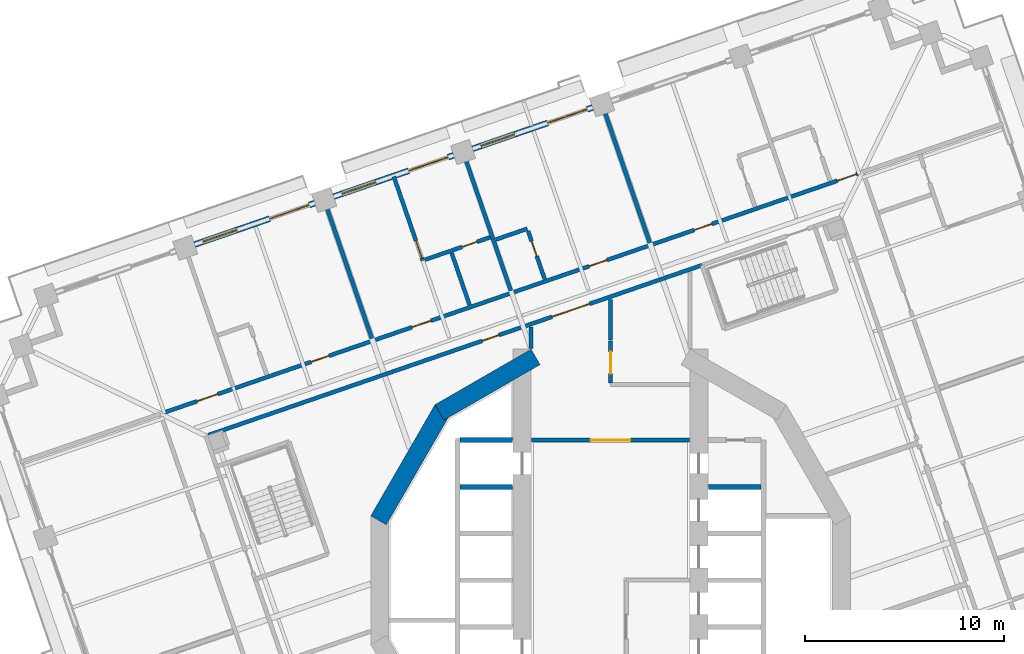
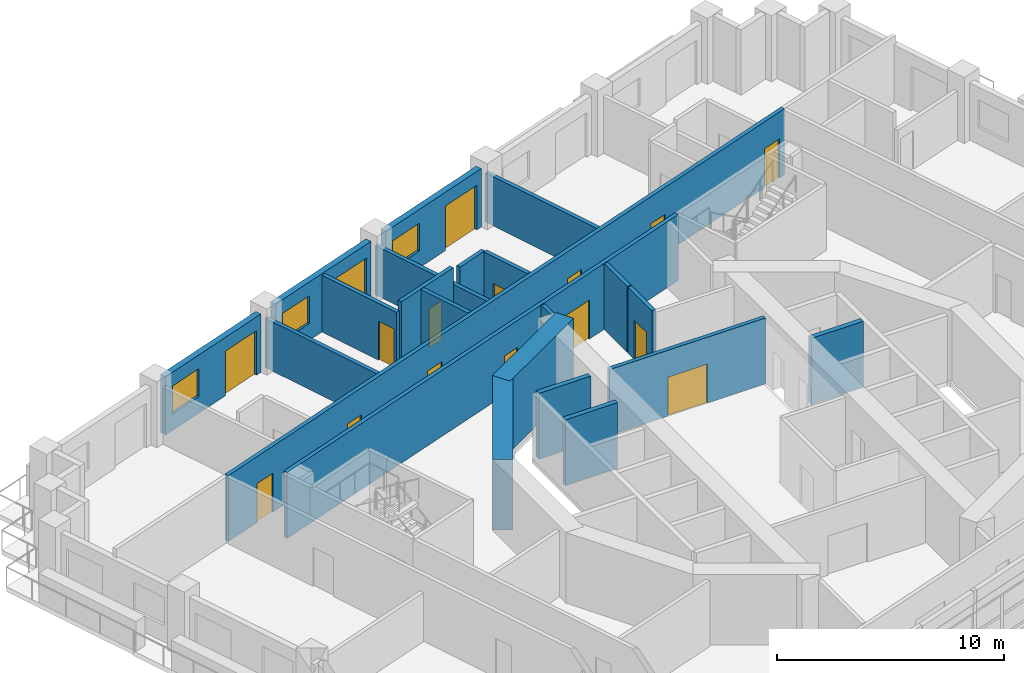
# One storey, part 12 of 22: 22 walls, 16 doors, 3 windows, 19 openings.
"""IFC4 building model written with IfcOpenShell, lengths in metres."""

from ifc_helpers import new_model, si_unit, direction, frame, frame_2d, origin, place, context, subcontext, project, spatial, rectangle, extrude, material, layer, layer_set, type_object, element, fill, save


model = new_model("IFC4")

# Units and contexts
model_context = context("Model", 3, precision=1e-05, world=origin(), true_north=direction((0.0, 1.0)))
body_context = subcontext(model_context, "Body", "Model", "MODEL_VIEW")
ifc_project = project(units=[si_unit("LENGTHUNIT", "METRE"), si_unit("AREAUNIT", "SQUARE_METRE"), si_unit("VOLUMEUNIT", "CUBIC_METRE"), si_unit("PLANEANGLEUNIT", "RADIAN"), si_unit("MASSUNIT", "GRAM", prefix="KILO")], contexts=[model_context])

# Site, building, storey
site_placement = place(None, origin())
site = spatial("IfcSite", under=ifc_project, at=site_placement, CompositionType="ELEMENT")
building_placement = place(site_placement, origin())
building = spatial("IfcBuilding", under=site, at=building_placement, Name="Cantera Rosa Tower", CompositionType="ELEMENT")
storey_placement = place(building_placement, frame((0.0, 0.0, 107.89990234375)))
storey = spatial("IfcBuildingStorey", under=building, at=storey_placement, Name="L21", CompositionType="ELEMENT", Elevation=107.89990234375)

# Wall
ifc_material_1 = material(Name="Gypsum board partition")
ifc_layer_1 = layer(ifc_material_1, 0.199951171875)
ifc_layer_set_1 = layer_set([ifc_layer_1], Name="CORRIDOR WALL 200 H3550")
wall_type_1 = type_object("IfcWallType", Name="CORRIDOR WALL 200 H3550", PredefinedType="PARTITIONING", material=ifc_layer_set_1)
wall_1_placement = place(storey_placement, frame((-4.0, 12.760498046875, 0.0), z_axis=(0.0, 0.0, 1.0), x_axis=(0.0, -1.0, 0.0)))
element("IfcWall", 1, at=wall_1_placement, inside=storey, type_object=wall_type_1, Name="CORRIDOR WALL L21-051", PredefinedType="PARTITIONING", context=body_context, shape_type="SweptSolid", body=[
    extrude(rectangle(XDim=1.09326171875, YDim=0.199951171875, at=frame_2d((0.546630859375, 0.0))), origin(), (0.0, 0.0, 1.0), 3.550048828125),
])

# Wall, opening, door
wall_2_placement = place(storey_placement, frame((-3.969970703125, 7.050048828125, 0.0), z_axis=(0.0, 0.0, 1.0), x_axis=(1.0, 0.0, 0.0)))
wall_2 = element("IfcWall", 2, at=wall_2_placement, inside=storey, type_object=wall_type_1, Name="CORRIDOR WALL L21-052", PredefinedType="PARTITIONING", context=body_context, shape_type="SweptSolid", body=[
    extrude(rectangle(XDim=7.93994140625, YDim=0.199951171875, at=frame_2d((3.969970703125, 0.0))), origin(), (0.0, 0.0, 1.0), 3.550048828125),
])
opening_1_placement = place(wall_2_placement, frame((2.969970703125, 0.0, 0.0)))
opening_1 = element("IfcOpeningElement", 3, at=opening_1_placement, cuts=wall_2, Name="Opening L21-011", PredefinedType="OPENING", context=body_context, shape_type="SweptSolid", body=[
    extrude(rectangle(XDim=2.0, YDim=2.10009765625, at=frame_2d((1.0, 1.050048828125))), frame((0.0, 0.10986328125, 0.0), z_axis=(0.0, -1.0, 0.0), x_axis=(1.0, 0.0, 0.0)), (0.0, 0.0, 1.0), 0.219970703125),
])
ifc_material_2 = material(Name="Steel S355J2 (EN 10025-2)", Category="steel")
door_type_1 = type_object("IfcDoorType", Name="LOBBY SCREEN DOOR 2000x2100", OperationType="NOTDEFINED", PredefinedType="DOOR", material=ifc_material_2)
door_1_placement = place(opening_1_placement, origin())
door_1 = element("IfcDoor", 4, at=door_1_placement, inside=storey, type_object=door_type_1, Name="DOOR L21-011", OperationType="NOTDEFINED", OverallHeight=2.10009765625, OverallWidth=2.0, PredefinedType="DOOR", context=body_context, shape_type="SweptSolid", body=[
    extrude(rectangle(XDim=2.0, YDim=2.10009765625, at=frame_2d((1.0, 1.050048828125))), frame((0.0, 0.02490234375, 0.0), z_axis=(0.0, -1.0, 0.0), x_axis=(1.0, 0.0, 0.0)), (0.0, 0.0, 1.0), 0.050048828125),
])
fill(opening_1, door_1)

wall_3_placement = place(storey_placement, frame((0.0, 12.044189453125, 0.0), z_axis=(0.0, 0.0, 1.0), x_axis=(0.0, -1.0, 0.0)))
wall_3 = element("IfcWall", 5, at=wall_3_placement, inside=storey, type_object=wall_type_1, Name="CORRIDOR WALL L21-057", PredefinedType="PARTITIONING", context=body_context, shape_type="SweptSolid", body=[
    extrude(rectangle(XDim=2.1142578125, YDim=0.199951171875, at=frame_2d((1.05712890625, 0.0))), origin(), (0.0, 0.0, 1.0), 3.550048828125),
])
opening_2_placement = place(wall_3_placement, frame((0.547119140625, 0.0, 0.0)))
opening_2 = element("IfcOpeningElement", 6, at=opening_2_placement, cuts=wall_3, Name="Opening L21-015", PredefinedType="OPENING", context=body_context, shape_type="SweptSolid", body=[
    extrude(rectangle(XDim=1.10009765625, YDim=2.10009765625, at=frame_2d((0.550048828125, 1.050048828125))), frame((0.0, 0.10986328125, 0.0), z_axis=(0.0, -1.0, 0.0), x_axis=(1.0, 0.0, 0.0)), (0.0, 0.0, 1.0), 0.219970703125),
])
ifc_material_3 = material(Name="Timber door leaf", Category="wood")
door_type_2 = type_object("IfcDoorType", Name="ROOM DOOR 1100x2100", OperationType="NOTDEFINED", PredefinedType="DOOR", material=ifc_material_3)
door_2_placement = place(opening_2_placement, origin())
door_2 = element("IfcDoor", 7, at=door_2_placement, inside=storey, type_object=door_type_2, Name="DOOR L21-015", OperationType="NOTDEFINED", OverallHeight=2.10009765625, OverallWidth=1.10009765625, PredefinedType="DOOR", context=body_context, shape_type="SweptSolid", body=[
    extrude(rectangle(XDim=1.10009765625, YDim=2.10009765625, at=frame_2d((0.550048828125, 1.050048828125))), frame((0.0, 0.02490234375, 0.0), z_axis=(0.0, -1.0, 0.0), x_axis=(1.0, 0.0, 0.0)), (0.0, 0.0, 1.0), 0.050048828125),
])
fill(opening_2, door_2)

# Wall
wall_4_placement = place(storey_placement, frame((0.0, 14.137939453125, 0.0), z_axis=(0.0, 0.0, 1.0), x_axis=(0.0, -1.0, 0.0)))
element("IfcWall", 8, at=wall_4_placement, inside=storey, type_object=wall_type_1, Name="CORRIDOR WALL L21-058", PredefinedType="PARTITIONING", context=body_context, shape_type="SweptSolid", body=[
    extrude(rectangle(XDim=2.033935546875, YDim=0.199951171875, at=frame_2d((1.01708984375, 0.0))), origin(), (0.0, 0.0, 1.0), 3.550048828125),
])

# Wall, openings, doors
wall_5_placement = place(storey_placement, frame((4.599365234375, 15.861572265625, 0.0), z_axis=(0.0, 0.0, 1.0), x_axis=(-0.94551912499, -0.325566558907, 0.0)))
wall_5 = element("IfcWall", 9, at=wall_5_placement, inside=storey, type_object=wall_type_1, Name="CORRIDOR WALL L21-066", PredefinedType="PARTITIONING", context=body_context, shape_type="SweptSolid", body=[
    extrude(rectangle(XDim=26.292724609375, YDim=0.199951171875, at=frame_2d((13.146484375, 0.0))), origin(), (0.0, 0.0, 1.0), 3.550048828125),
])
opening_3_placement = place(wall_5_placement, frame((10.8095703125, 0.0, 0.0)))
opening_3 = element("IfcOpeningElement", 10, at=opening_3_placement, cuts=wall_5, Name="Opening L21-005", PredefinedType="OPENING", context=body_context, shape_type="SweptSolid", body=[
    extrude(rectangle(XDim=0.89990234375, YDim=2.10009765625, at=frame_2d((0.449951171875, 1.050048828125))), frame((0.0, 0.10986328125, 0.0), z_axis=(0.0, -1.0, 0.0), x_axis=(1.0, 0.0, 0.0)), (0.0, 0.0, 1.0), 0.219970703125),
])
opening_4_placement = place(wall_5_placement, frame((5.9794921875, 0.0, 0.0)))
opening_4 = element("IfcOpeningElement", 11, at=opening_4_placement, cuts=wall_5, Name="Opening L21-010", PredefinedType="OPENING", context=body_context, shape_type="SweptSolid", body=[
    extrude(rectangle(XDim=2.0, YDim=2.10009765625, at=frame_2d((1.0, 1.050048828125))), frame((0.0, 0.10986328125, 0.0), z_axis=(0.0, -1.0, 0.0), x_axis=(1.0, 0.0, 0.0)), (0.0, 0.0, 1.0), 0.219970703125),
])
door_3_placement = place(opening_4_placement, origin())
door_3 = element("IfcDoor", 12, at=door_3_placement, inside=storey, type_object=door_type_1, Name="DOOR L21-010", OperationType="NOTDEFINED", OverallHeight=2.10009765625, OverallWidth=2.0, PredefinedType="DOOR", context=body_context, shape_type="SweptSolid", body=[
    extrude(rectangle(XDim=2.0, YDim=2.10009765625, at=frame_2d((1.0, 1.050048828125))), frame((0.0, 0.02490234375, 0.0), z_axis=(0.0, -1.0, 0.0), x_axis=(1.0, 0.0, 0.0)), (0.0, 0.0, 1.0), 0.050048828125),
])
fill(opening_4, door_3)
ifc_material_4 = material(Name="Timber door leaf", Category="wood")
door_type_3 = type_object("IfcDoorType", Name="SERVICE DOOR 900x2100", OperationType="NOTDEFINED", PredefinedType="DOOR", material=ifc_material_4)
door_4_placement = place(opening_3_placement, origin())
door_4 = element("IfcDoor", 13, at=door_4_placement, inside=storey, type_object=door_type_3, Name="DOOR L21-005", OperationType="NOTDEFINED", OverallHeight=2.10009765625, OverallWidth=0.89990234375, PredefinedType="DOOR", context=body_context, shape_type="SweptSolid", body=[
    extrude(rectangle(XDim=0.89990234375, YDim=2.10009765625, at=frame_2d((0.449951171875, 1.050048828125))), frame((0.0, 0.02490234375, 0.0), z_axis=(0.0, -1.0, 0.0), x_axis=(1.0, 0.0, 0.0)), (0.0, 0.0, 1.0), 0.050048828125),
])
fill(opening_3, door_4)

wall_6_placement = place(storey_placement, frame((12.699951171875, 20.5546875, 0.0), z_axis=(0.0, 0.0, 1.0), x_axis=(-0.945517404909, -0.325571554368, 0.0)))
wall_6 = element("IfcWall", 14, at=wall_6_placement, inside=storey, type_object=wall_type_1, Name="CORRIDOR WALL L21-090", PredefinedType="PARTITIONING", context=body_context, shape_type="SweptSolid", body=[
    extrude(rectangle(XDim=37.35986328125, YDim=0.199951171875, at=frame_2d((18.679931640625, 0.0))), origin(), (0.0, 0.0, 1.0), 3.550048828125),
])
opening_5_placement = place(wall_6_placement, frame((8.02490234375, 0.0, 0.0)))
opening_5 = element("IfcOpeningElement", 15, at=opening_5_placement, cuts=wall_6, Name="Opening L21-024", PredefinedType="OPENING", context=body_context, shape_type="SweptSolid", body=[
    extrude(rectangle(XDim=0.949951171875, YDim=2.10009765625, at=frame_2d((0.47509765625, 1.050048828125))), frame((0.0, 0.10986328125, 0.0), z_axis=(0.0, -1.0, 0.0), x_axis=(1.0, 0.0, 0.0)), (0.0, 0.0, 1.0), 0.219970703125),
])
opening_6_placement = place(wall_6_placement, frame((13.625, 0.0, 0.0)))
opening_6 = element("IfcOpeningElement", 16, at=opening_6_placement, cuts=wall_6, Name="Opening L21-026", PredefinedType="OPENING", context=body_context, shape_type="SweptSolid", body=[
    extrude(rectangle(XDim=0.949951171875, YDim=2.10009765625, at=frame_2d((0.47509765625, 1.050048828125))), frame((0.0, 0.10986328125, 0.0), z_axis=(0.0, -1.0, 0.0), x_axis=(1.0, 0.0, 0.0)), (0.0, 0.0, 1.0), 0.219970703125),
])
opening_7_placement = place(wall_6_placement, frame((23.0, 0.0, 0.0)))
opening_7 = element("IfcOpeningElement", 17, at=opening_7_placement, cuts=wall_6, Name="Opening L21-028", PredefinedType="OPENING", context=body_context, shape_type="SweptSolid", body=[
    extrude(rectangle(XDim=1.0, YDim=2.10009765625, at=frame_2d((0.5, 1.050048828125))), frame((0.0, 0.10986328125, 0.0), z_axis=(0.0, -1.0, 0.0), x_axis=(1.0, 0.0, 0.0)), (0.0, 0.0, 1.0), 0.219970703125),
])
opening_8_placement = place(wall_6_placement, frame((28.425048828125, 0.0, 0.0)))
opening_8 = element("IfcOpeningElement", 18, at=opening_8_placement, cuts=wall_6, Name="Opening L21-031", PredefinedType="OPENING", context=body_context, shape_type="SweptSolid", body=[
    extrude(rectangle(XDim=0.949951171875, YDim=2.10009765625, at=frame_2d((0.47509765625, 1.050048828125))), frame((0.0, 0.10986328125, 0.0), z_axis=(0.0, -1.0, 0.0), x_axis=(1.0, 0.0, 0.0)), (0.0, 0.0, 1.0), 0.219970703125),
])
opening_9_placement = place(wall_6_placement, frame((0.35009765625, 0.0, 0.0)))
opening_9 = element("IfcOpeningElement", 19, at=opening_9_placement, cuts=wall_6, Name="Opening L21-033", PredefinedType="OPENING", context=body_context, shape_type="SweptSolid", body=[
    extrude(rectangle(XDim=1.0, YDim=2.10009765625, at=frame_2d((0.5, 1.050048828125))), frame((0.0, 0.10986328125, 0.0), z_axis=(0.0, -1.0, 0.0), x_axis=(1.0, 0.0, 0.0)), (0.0, 0.0, 1.0), 0.219970703125),
])
opening_10_placement = place(wall_6_placement, frame((34.35009765625, 0.0, 0.0)))
opening_10 = element("IfcOpeningElement", 20, at=opening_10_placement, cuts=wall_6, Name="Opening L21-035", PredefinedType="OPENING", context=body_context, shape_type="SweptSolid", body=[
    extrude(rectangle(XDim=1.10009765625, YDim=2.10009765625, at=frame_2d((0.550048828125, 1.050048828125))), frame((0.0, 0.10986328125, 0.0), z_axis=(0.0, -1.0, 0.0), x_axis=(1.0, 0.0, 0.0)), (0.0, 0.0, 1.0), 0.219970703125),
])
ifc_material_5 = material(Name="Timber door leaf", Category="wood")
door_type_4 = type_object("IfcDoorType", Name="ENTRANCE DOOR 1000x2100", OperationType="NOTDEFINED", PredefinedType="DOOR", material=ifc_material_5)
door_5_placement = place(opening_7_placement, origin())
door_5 = element("IfcDoor", 21, at=door_5_placement, inside=storey, type_object=door_type_4, Name="DOOR L21-028", OperationType="NOTDEFINED", OverallHeight=2.10009765625, OverallWidth=1.0, PredefinedType="DOOR", context=body_context, shape_type="SweptSolid", body=[
    extrude(rectangle(XDim=1.0, YDim=2.10009765625, at=frame_2d((0.5, 1.050048828125))), frame((0.0, 0.02490234375, 0.0), z_axis=(0.0, -1.0, 0.0), x_axis=(1.0, 0.0, 0.0)), (0.0, 0.0, 1.0), 0.050048828125),
])
fill(opening_7, door_5)
door_6_placement = place(opening_9_placement, origin())
door_6 = element("IfcDoor", 22, at=door_6_placement, inside=storey, type_object=door_type_4, Name="DOOR L21-033", OperationType="NOTDEFINED", OverallHeight=2.10009765625, OverallWidth=1.0, PredefinedType="DOOR", context=body_context, shape_type="SweptSolid", body=[
    extrude(rectangle(XDim=1.0, YDim=2.10009765625, at=frame_2d((0.5, 1.050048828125))), frame((0.0, 0.02490234375, 0.0), z_axis=(0.0, -1.0, 0.0), x_axis=(1.0, 0.0, 0.0)), (0.0, 0.0, 1.0), 0.050048828125),
])
fill(opening_9, door_6)
door_7_placement = place(opening_10_placement, origin())
door_7 = element("IfcDoor", 23, at=door_7_placement, inside=storey, type_object=door_type_2, Name="DOOR L21-035", OperationType="NOTDEFINED", OverallHeight=2.10009765625, OverallWidth=1.10009765625, PredefinedType="DOOR", context=body_context, shape_type="SweptSolid", body=[
    extrude(rectangle(XDim=1.10009765625, YDim=2.10009765625, at=frame_2d((0.550048828125, 1.050048828125))), frame((0.0, 0.02490234375, 0.0), z_axis=(0.0, -1.0, 0.0), x_axis=(1.0, 0.0, 0.0)), (0.0, 0.0, 1.0), 0.050048828125),
])
fill(opening_10, door_7)
ifc_material_6 = material(Name="Timber door leaf", Category="wood")
door_type_5 = type_object("IfcDoorType", Name="ROOM DOOR 950x2100", OperationType="NOTDEFINED", PredefinedType="DOOR", material=ifc_material_6)
door_8_placement = place(opening_5_placement, origin())
door_8 = element("IfcDoor", 24, at=door_8_placement, inside=storey, type_object=door_type_5, Name="DOOR L21-024", OperationType="NOTDEFINED", OverallHeight=2.10009765625, OverallWidth=0.949951171875, PredefinedType="DOOR", context=body_context, shape_type="SweptSolid", body=[
    extrude(rectangle(XDim=0.949951171875, YDim=2.10009765625, at=frame_2d((0.47509765625, 1.050048828125))), frame((0.0, 0.02490234375, 0.0), z_axis=(0.0, -1.0, 0.0), x_axis=(1.0, 0.0, 0.0)), (0.0, 0.0, 1.0), 0.050048828125),
])
fill(opening_5, door_8)
door_9_placement = place(opening_6_placement, origin())
door_9 = element("IfcDoor", 25, at=door_9_placement, inside=storey, type_object=door_type_5, Name="DOOR L21-026", OperationType="NOTDEFINED", OverallHeight=2.10009765625, OverallWidth=0.949951171875, PredefinedType="DOOR", context=body_context, shape_type="SweptSolid", body=[
    extrude(rectangle(XDim=0.949951171875, YDim=2.10009765625, at=frame_2d((0.47509765625, 1.050048828125))), frame((0.0, 0.02490234375, 0.0), z_axis=(0.0, -1.0, 0.0), x_axis=(1.0, 0.0, 0.0)), (0.0, 0.0, 1.0), 0.050048828125),
])
fill(opening_6, door_9)
door_10_placement = place(opening_8_placement, origin())
door_10 = element("IfcDoor", 26, at=door_10_placement, inside=storey, type_object=door_type_5, Name="DOOR L21-031", OperationType="NOTDEFINED", OverallHeight=2.10009765625, OverallWidth=0.949951171875, PredefinedType="DOOR", context=body_context, shape_type="SweptSolid", body=[
    extrude(rectangle(XDim=0.949951171875, YDim=2.10009765625, at=frame_2d((0.47509765625, 1.050048828125))), frame((0.0, 0.02490234375, 0.0), z_axis=(0.0, -1.0, 0.0), x_axis=(1.0, 0.0, 0.0)), (0.0, 0.0, 1.0), 0.050048828125),
])
fill(opening_8, door_10)

# Wall, openings, window, door
ifc_material_7 = material(Name="Hollow clay masonry with cantera stone cladding", Category="masonry")
ifc_layer_2 = layer(ifc_material_7, 0.300048828125)
ifc_layer_set_2 = layer_set([ifc_layer_2], Name="EW-LOGGIA 300 H3140")
wall_type_2 = type_object("IfcWallType", Name="EW-LOGGIA 300 H3140", PredefinedType="SOLIDWALL", material=ifc_layer_set_2)
wall_7_placement = place(storey_placement, frame((-0.89892578125, 23.80419921875, 0.0), z_axis=(0.0, 0.0, 1.0), x_axis=(-0.945524496524, -0.325550958337, 0.0)))
wall_7 = element("IfcWall", 27, at=wall_7_placement, inside=storey, type_object=wall_type_2, Name="EN-L21-W10", PredefinedType="SOLIDWALL", context=body_context, shape_type="SweptSolid", body=[
    extrude(rectangle(XDim=6.39990234375, YDim=0.300048828125, at=frame_2d((3.199951171875, 0.0))), origin(), (0.0, 0.0, 1.0), 3.14013671875),
])
opening_11_placement = place(wall_7_placement, frame((0.300048828125, 0.0, 0.0)))
opening_11 = element("IfcOpeningElement", 28, at=opening_11_placement, cuts=wall_7, Name="Opening L21-TD15", PredefinedType="OPENING", context=body_context, shape_type="SweptSolid", body=[
    extrude(rectangle(XDim=2.10009765625, YDim=2.39990234375, at=frame_2d((1.050048828125, 1.199951171875))), frame((0.0, 0.159912109375, 0.0), z_axis=(0.0, -1.0, 0.0), x_axis=(1.0, 0.0, 0.0)), (0.0, 0.0, 1.0), 0.320068359375),
])
opening_12_placement = place(wall_7_placement, frame((4.14990234375, 0.0, 0.89990234375)))
opening_12 = element("IfcOpeningElement", 29, at=opening_12_placement, cuts=wall_7, Name="Opening L21-W16", PredefinedType="OPENING", context=body_context, shape_type="SweptSolid", body=[
    extrude(rectangle(XDim=1.800048828125, YDim=1.5, at=frame_2d((0.89990234375, 0.75))), frame((0.0, 0.159912109375, 0.0), z_axis=(0.0, -1.0, 0.0), x_axis=(1.0, 0.0, 0.0)), (0.0, 0.0, 1.0), 0.320068359375),
])
ifc_material_8 = material(Name="Aluminium frame with clear glass", Category="aluminium")
window_type = type_object("IfcWindowType", Name="Hotel room window 1800x1500", PartitioningType="DOUBLE_PANEL_VERTICAL", PredefinedType="WINDOW", material=ifc_material_8)
window_1_placement = place(opening_12_placement, origin())
window_1 = element("IfcWindow", 30, at=window_1_placement, inside=storey, type_object=window_type, Name="WINDOW L21-W16", OverallHeight=1.5, OverallWidth=1.800048828125, PartitioningType="SINGLE_PANEL", PredefinedType="WINDOW", context=body_context, shape_type="SweptSolid", body=[
    extrude(rectangle(XDim=1.800048828125, YDim=1.5, at=frame_2d((0.89990234375, 0.75))), frame((0.0, 0.030029296875, 0.0), z_axis=(0.0, -1.0, 0.0), x_axis=(1.0, 0.0, 0.0)), (0.0, 0.0, 1.0), 0.06005859375),
])
fill(opening_12, window_1)
ifc_material_9 = material(Name="Aluminium frame with clear glass", Category="aluminium")
door_type_6 = type_object("IfcDoorType", Name="TD-H 2100x2400", OperationType="NOTDEFINED", PredefinedType="DOOR", material=ifc_material_9)
door_11_placement = place(opening_11_placement, origin())
door_11 = element("IfcDoor", 31, at=door_11_placement, inside=storey, type_object=door_type_6, Name="LOGGIA DOOR L21-TD15", OperationType="SLIDING_TO_LEFT", OverallHeight=2.39990234375, OverallWidth=2.10009765625, PredefinedType="DOOR", context=body_context, shape_type="SweptSolid", body=[
    extrude(rectangle(XDim=2.10009765625, YDim=2.39990234375, at=frame_2d((1.050048828125, 1.199951171875))), frame((0.0, 0.02490234375, 0.0), z_axis=(0.0, -1.0, 0.0), x_axis=(1.0, 0.0, 0.0)), (0.0, 0.0, 1.0), 0.050048828125),
])
fill(opening_11, door_11)

wall_8_placement = place(storey_placement, frame((-7.895751953125, 21.39501953125, 0.0), z_axis=(0.0, 0.0, 1.0), x_axis=(-0.945524496524, -0.325550958337, 0.0)))
wall_8 = element("IfcWall", 32, at=wall_8_placement, inside=storey, type_object=wall_type_2, Name="EN-L21-W11", PredefinedType="SOLIDWALL", context=body_context, shape_type="SweptSolid", body=[
    extrude(rectangle(XDim=6.39990234375, YDim=0.300048828125, at=frame_2d((3.199951171875, 0.0))), origin(), (0.0, 0.0, 1.0), 3.14013671875),
])
opening_13_placement = place(wall_8_placement, frame((0.300048828125, 0.0, 0.0)))
opening_13 = element("IfcOpeningElement", 33, at=opening_13_placement, cuts=wall_8, Name="Opening L21-TD17", PredefinedType="OPENING", context=body_context, shape_type="SweptSolid", body=[
    extrude(rectangle(XDim=2.10009765625, YDim=2.39990234375, at=frame_2d((1.050048828125, 1.199951171875))), frame((0.0, 0.159912109375, 0.0), z_axis=(0.0, -1.0, 0.0), x_axis=(1.0, 0.0, 0.0)), (0.0, 0.0, 1.0), 0.320068359375),
])
opening_14_placement = place(wall_8_placement, frame((4.14990234375, 0.0, 0.89990234375)))
opening_14 = element("IfcOpeningElement", 34, at=opening_14_placement, cuts=wall_8, Name="Opening L21-W18", PredefinedType="OPENING", context=body_context, shape_type="SweptSolid", body=[
    extrude(rectangle(XDim=1.800048828125, YDim=1.5, at=frame_2d((0.89990234375, 0.75))), frame((0.0, 0.159912109375, 0.0), z_axis=(0.0, -1.0, 0.0), x_axis=(1.0, 0.0, 0.0)), (0.0, 0.0, 1.0), 0.320068359375),
])
window_2_placement = place(opening_14_placement, origin())
window_2 = element("IfcWindow", 35, at=window_2_placement, inside=storey, type_object=window_type, Name="WINDOW L21-W18", OverallHeight=1.5, OverallWidth=1.800048828125, PartitioningType="SINGLE_PANEL", PredefinedType="WINDOW", context=body_context, shape_type="SweptSolid", body=[
    extrude(rectangle(XDim=1.800048828125, YDim=1.5, at=frame_2d((0.89990234375, 0.75))), frame((0.0, 0.030029296875, 0.0), z_axis=(0.0, -1.0, 0.0), x_axis=(1.0, 0.0, 0.0)), (0.0, 0.0, 1.0), 0.06005859375),
])
fill(opening_14, window_2)
door_12_placement = place(opening_13_placement, origin())
door_12 = element("IfcDoor", 36, at=door_12_placement, inside=storey, type_object=door_type_6, Name="LOGGIA DOOR L21-TD17", OperationType="SLIDING_TO_LEFT", OverallHeight=2.39990234375, OverallWidth=2.10009765625, PredefinedType="DOOR", context=body_context, shape_type="SweptSolid", body=[
    extrude(rectangle(XDim=2.10009765625, YDim=2.39990234375, at=frame_2d((1.050048828125, 1.199951171875))), frame((0.0, 0.02490234375, 0.0), z_axis=(0.0, -1.0, 0.0), x_axis=(1.0, 0.0, 0.0)), (0.0, 0.0, 1.0), 0.050048828125),
])
fill(opening_13, door_12)

wall_9_placement = place(storey_placement, frame((-14.892578125, 18.98583984375, 0.0), z_axis=(0.0, 0.0, 1.0), x_axis=(-0.945512753621, -0.325585062219, 0.0)))
wall_9 = element("IfcWall", 37, at=wall_9_placement, inside=storey, type_object=wall_type_2, Name="EN-L21-W12", PredefinedType="SOLIDWALL", context=body_context, shape_type="SweptSolid", body=[
    extrude(rectangle(XDim=6.39990234375, YDim=0.300048828125, at=frame_2d((3.199951171875, 0.0))), origin(), (0.0, 0.0, 1.0), 3.14013671875),
])
opening_15_placement = place(wall_9_placement, frame((0.300048828125, 0.0, 0.0)))
opening_15 = element("IfcOpeningElement", 38, at=opening_15_placement, cuts=wall_9, Name="Opening L21-TD19", PredefinedType="OPENING", context=body_context, shape_type="SweptSolid", body=[
    extrude(rectangle(XDim=2.10009765625, YDim=2.39990234375, at=frame_2d((1.050048828125, 1.199951171875))), frame((0.0, 0.159912109375, 0.0), z_axis=(0.0, -1.0, 0.0), x_axis=(1.0, 0.0, 0.0)), (0.0, 0.0, 1.0), 0.320068359375),
])
opening_16_placement = place(wall_9_placement, frame((4.14990234375, 0.0, 0.89990234375)))
opening_16 = element("IfcOpeningElement", 39, at=opening_16_placement, cuts=wall_9, Name="Opening L21-W20", PredefinedType="OPENING", context=body_context, shape_type="SweptSolid", body=[
    extrude(rectangle(XDim=1.800048828125, YDim=1.5, at=frame_2d((0.89990234375, 0.75))), frame((0.0, 0.159912109375, 0.0), z_axis=(0.0, -1.0, 0.0), x_axis=(1.0, 0.0, 0.0)), (0.0, 0.0, 1.0), 0.320068359375),
])
window_3_placement = place(opening_16_placement, origin())
window_3 = element("IfcWindow", 40, at=window_3_placement, inside=storey, type_object=window_type, Name="WINDOW L21-W20", OverallHeight=1.5, OverallWidth=1.800048828125, PartitioningType="SINGLE_PANEL", PredefinedType="WINDOW", context=body_context, shape_type="SweptSolid", body=[
    extrude(rectangle(XDim=1.800048828125, YDim=1.5, at=frame_2d((0.89990234375, 0.75))), frame((0.0, 0.030029296875, 0.0), z_axis=(0.0, -1.0, 0.0), x_axis=(1.0, 0.0, 0.0)), (0.0, 0.0, 1.0), 0.06005859375),
])
fill(opening_16, window_3)
door_13_placement = place(opening_15_placement, origin())
door_13 = element("IfcDoor", 41, at=door_13_placement, inside=storey, type_object=door_type_6, Name="LOGGIA DOOR L21-TD19", OperationType="SLIDING_TO_LEFT", OverallHeight=2.39990234375, OverallWidth=2.10009765625, PredefinedType="DOOR", context=body_context, shape_type="SweptSolid", body=[
    extrude(rectangle(XDim=2.10009765625, YDim=2.39990234375, at=frame_2d((1.050048828125, 1.199951171875))), frame((0.0, 0.02490234375, 0.0), z_axis=(0.0, -1.0, 0.0), x_axis=(1.0, 0.0, 0.0)), (0.0, 0.0, 1.0), 0.050048828125),
])
fill(opening_15, door_13)

# Wall, opening, door
ifc_material_10 = material(Name="Gypsum board partition")
ifc_layer_3 = layer(ifc_material_10, 0.199951171875)
ifc_layer_set_3 = layer_set([ifc_layer_3], Name="PARTITION 200 H3050")
wall_type_3 = type_object("IfcWallType", Name="PARTITION 200 H3050", PredefinedType="PARTITIONING", material=ifc_layer_set_3)
wall_10_placement = place(storey_placement, frame((-9.456298828125, 16.098388671875, 0.0), z_axis=(0.0, 0.0, 1.0), x_axis=(-0.325568171973, 0.945518569568, 0.0)))
wall_10 = element("IfcWall", 42, at=wall_10_placement, inside=storey, type_object=wall_type_3, Name="PARTITION L21-032", PredefinedType="PARTITIONING", context=body_context, shape_type="SweptSolid", body=[
    extrude(rectangle(XDim=4.47021484375, YDim=0.199951171875, at=frame_2d((2.235107421875, 0.0))), origin(), (0.0, 0.0, 1.0), 3.050048828125),
])
opening_17_placement = place(wall_10_placement, frame((0.14990234375, 0.0, 0.0)))
opening_17 = element("IfcOpeningElement", 43, at=opening_17_placement, cuts=wall_10, Name="Opening L21-029", PredefinedType="OPENING", context=body_context, shape_type="SweptSolid", body=[
    extrude(rectangle(XDim=0.89990234375, YDim=2.10009765625, at=frame_2d((0.449951171875, 1.050048828125))), frame((0.0, 0.10986328125, 0.0), z_axis=(0.0, -1.0, 0.0), x_axis=(1.0, 0.0, 0.0)), (0.0, 0.0, 1.0), 0.219970703125),
])
ifc_material_11 = material(Name="Timber door leaf", Category="wood")
door_type_7 = type_object("IfcDoorType", Name="ROOM DOOR 900x2100", OperationType="NOTDEFINED", PredefinedType="DOOR", material=ifc_material_11)
door_14_placement = place(opening_17_placement, origin())
door_14 = element("IfcDoor", 44, at=door_14_placement, inside=storey, type_object=door_type_7, Name="DOOR L21-029", OperationType="NOTDEFINED", OverallHeight=2.10009765625, OverallWidth=0.89990234375, PredefinedType="DOOR", context=body_context, shape_type="SweptSolid", body=[
    extrude(rectangle(XDim=0.89990234375, YDim=2.10009765625, at=frame_2d((0.449951171875, 1.050048828125))), frame((0.0, 0.02490234375, 0.0), z_axis=(0.0, -1.0, 0.0), x_axis=(1.0, 0.0, 0.0)), (0.0, 0.0, 1.0), 0.050048828125),
])
fill(opening_17, door_14)

# Wall
ifc_material_12 = material(Name="Gypsum board partition")
ifc_layer_4 = layer(ifc_material_12, 0.199951171875)
ifc_layer_set_4 = layer_set([ifc_layer_4], Name="PARTITION 200 H3550")
wall_type_4 = type_object("IfcWallType", Name="PARTITION 200 H3550", PredefinedType="PARTITIONING", material=ifc_layer_set_4)
wall_11_placement = place(storey_placement, frame((-7.100341796875, 13.863525390625, 0.0), z_axis=(0.0, 0.0, 1.0), x_axis=(-0.325579051861, 0.945514823252, 0.0)))
element("IfcWall", 45, at=wall_11_placement, inside=storey, type_object=wall_type_4, Name="PARTITION L21-042", PredefinedType="PARTITIONING", context=body_context, shape_type="SweptSolid", body=[
    extrude(rectangle(XDim=2.76025390625, YDim=0.199951171875, at=frame_2d((1.380126953125, 0.0))), origin(), (0.0, 0.0, 1.0), 3.550048828125),
])

# Wall, opening, door
wall_12_placement = place(storey_placement, frame((-6.052490234375, 17.2705078125, 0.0), z_axis=(0.0, 0.0, 1.0), x_axis=(-0.945515283852, -0.325577714228, 0.0)))
wall_12 = element("IfcWall", 46, at=wall_12_placement, inside=storey, type_object=wall_type_4, Name="PARTITION L21-044", PredefinedType="PARTITIONING", context=body_context, shape_type="SweptSolid", body=[
    extrude(rectangle(XDim=3.480224609375, YDim=0.199951171875, at=frame_2d((1.740234375, 0.0))), origin(), (0.0, 0.0, 1.0), 3.550048828125),
])
opening_18_placement = place(wall_12_placement, frame((0.7099609375, 0.0, 0.0)))
opening_18 = element("IfcOpeningElement", 47, at=opening_18_placement, cuts=wall_12, Name="Opening L21-030", PredefinedType="OPENING", context=body_context, shape_type="SweptSolid", body=[
    extrude(rectangle(XDim=0.800048828125, YDim=2.10009765625, at=frame_2d((0.39990234375, 1.050048828125))), frame((0.0, 0.10986328125, 0.0), z_axis=(0.0, -1.0, 0.0), x_axis=(1.0, 0.0, 0.0)), (0.0, 0.0, 1.0), 0.219970703125),
])
ifc_material_13 = material(Name="Timber door leaf", Category="wood")
door_type_8 = type_object("IfcDoorType", Name="BATHROOM DOOR 800x2100", OperationType="NOTDEFINED", PredefinedType="DOOR", material=ifc_material_13)
door_15_placement = place(opening_18_placement, origin())
door_15 = element("IfcDoor", 48, at=door_15_placement, inside=storey, type_object=door_type_8, Name="DOOR L21-030", OperationType="NOTDEFINED", OverallHeight=2.10009765625, OverallWidth=0.800048828125, PredefinedType="DOOR", context=body_context, shape_type="SweptSolid", body=[
    extrude(rectangle(XDim=0.800048828125, YDim=2.10009765625, at=frame_2d((0.39990234375, 1.050048828125))), frame((0.0, 0.02490234375, 0.0), z_axis=(0.0, -1.0, 0.0), x_axis=(1.0, 0.0, 0.0)), (0.0, 0.0, 1.0), 0.050048828125),
])
fill(opening_18, door_15)

# Wall
wall_13_placement = place(storey_placement, frame((-5.779296875, 17.153076171875, 0.0), z_axis=(0.0, 0.0, 1.0), x_axis=(0.945527319301, 0.325542759796, 0.0)))
element("IfcWall", 49, at=wall_13_placement, inside=storey, type_object=wall_type_4, Name="PARTITION L21-045", PredefinedType="PARTITIONING", context=body_context, shape_type="SweptSolid", body=[
    extrude(rectangle(XDim=1.679931640625, YDim=0.199951171875, at=frame_2d((0.83984375, 0.0))), origin(), (0.0, 0.0, 1.0), 3.550048828125),
])

# Wall, opening, door
wall_14_placement = place(storey_placement, frame((-4.15185546875, 17.58642578125, 0.0), z_axis=(0.0, 0.0, 1.0), x_axis=(0.325596805989, -0.9455087096, 0.0)))
wall_14 = element("IfcWall", 50, at=wall_14_placement, inside=storey, type_object=wall_type_4, Name="PARTITION L21-049", PredefinedType="PARTITIONING", context=body_context, shape_type="SweptSolid", body=[
    extrude(rectangle(XDim=2.559814453125, YDim=0.199951171875, at=frame_2d((1.27978515625, 0.0))), origin(), (0.0, 0.0, 1.0), 3.550048828125),
])
opening_19_placement = place(wall_14_placement, frame((0.5439453125, 0.0, 0.0)))
opening_19 = element("IfcOpeningElement", 51, at=opening_19_placement, cuts=wall_14, Name="Opening L21-027", PredefinedType="OPENING", context=body_context, shape_type="SweptSolid", body=[
    extrude(rectangle(XDim=0.800048828125, YDim=2.10009765625, at=frame_2d((0.39990234375, 1.050048828125))), frame((0.0, 0.10986328125, 0.0), z_axis=(0.0, -1.0, 0.0), x_axis=(1.0, 0.0, 0.0)), (0.0, 0.0, 1.0), 0.219970703125),
])
door_16_placement = place(opening_19_placement, origin())
door_16 = element("IfcDoor", 52, at=door_16_placement, inside=storey, type_object=door_type_8, Name="DOOR L21-027", OperationType="NOTDEFINED", OverallHeight=2.10009765625, OverallWidth=0.800048828125, PredefinedType="DOOR", context=body_context, shape_type="SweptSolid", body=[
    extrude(rectangle(XDim=0.800048828125, YDim=2.10009765625, at=frame_2d((0.39990234375, 1.050048828125))), frame((0.0, 0.02490234375, 0.0), z_axis=(0.0, -1.0, 0.0), x_axis=(1.0, 0.0, 0.0)), (0.0, 0.0, 1.0), 0.050048828125),
])
fill(opening_19, door_16)

# Walls
ifc_material_14 = material(Name="Gypsum board partition")
ifc_layer_5 = layer(ifc_material_14, 0.199951171875)
ifc_layer_set_5 = layer_set([ifc_layer_5], Name="PARTY WALL 200 H2650")
wall_type_5 = type_object("IfcWallType", Name="PARTY WALL 200 H2650", PredefinedType="PARTITIONING", material=ifc_layer_set_5)
for number, where, z_axis, x_axis, name in (
    (53, (-12.01708984375, 12.170654296875, 0.0), (0.0, 0.0, 1.0), (-0.325549451152, 0.945525015457, 0.0), "PARTY WALL L21-026"),
    (54, (-5.020263671875, 14.579833984375, 0.0), (0.0, 0.0, 1.0), (-0.325549451152, 0.945525015457, 0.0), "PARTY WALL L21-046"),
    (55, (1.9765625, 16.989013671875, 0.0), (0.0, 0.0, 1.0), (-0.325549451152, 0.945525015457, 0.0), "PARTY WALL L21-061"),
):
    element("IfcWall", number, at=place(storey_placement, frame(where, z_axis=z_axis, x_axis=x_axis)), inside=storey, type_object=wall_type_5, Name=name, PredefinedType="PARTITIONING", context=body_context, shape_type="SweptSolid", body=[
        extrude(rectangle(XDim=7.35009765625, YDim=0.199951171875, at=frame_2d((3.675048828125, 0.0))), origin(), (0.0, 0.0, 1.0), 2.650146484375),
    ])
ifc_material_15 = material(Name="Concrete C70/85", Category="concrete")
ifc_layer_6 = layer(ifc_material_15, 0.89990234375)
ifc_layer_set_6 = layer_set([ifc_layer_6], Name="RC CORE WALL 900 C70/85")
wall_type_6 = type_object("IfcWallType", Name="RC CORE WALL 900 C70/85", PredefinedType="SHEAR", material=ifc_layer_set_6)
wall_15_placement = place(storey_placement, frame((-11.684326171875, 3.01025390625, 0.0), z_axis=(0.0, 0.0, 1.0), x_axis=(0.499990282633, 0.866031014036, 0.0)))
element("IfcWall", 56, at=wall_15_placement, inside=storey, type_object=wall_type_6, Name="CW-W4 L21", PredefinedType="SHEAR", context=body_context, shape_type="SweptSolid", body=[
    extrude(rectangle(XDim=6.470458984375, YDim=0.89990234375, at=frame_2d((3.2353515625, 0.0))), origin(), (0.0, 0.0, 1.0), 3.800048828125),
])
wall_16_placement = place(storey_placement, frame((-8.61376953125, 8.44921875, 0.0), z_axis=(0.0, 0.0, 1.0), x_axis=(0.866026961591, 0.49999730179, 0.0)))
element("IfcWall", 57, at=wall_16_placement, inside=storey, type_object=wall_type_6, Name="CW-W5 L21", PredefinedType="SHEAR", context=body_context, shape_type="SweptSolid", body=[
    extrude(rectangle(XDim=5.58740234375, YDim=0.89990234375, at=frame_2d((2.793701171875, 0.0))), origin(), (0.0, 0.0, 1.0), 3.800048828125),
])
ifc_material_16 = material(Name="Masonry blockwork", Category="masonry")
ifc_layer_7 = layer(ifc_material_16, 0.25)
ifc_layer_set_7 = layer_set([ifc_layer_7], Name="SHAFT WALL 250 H3550")
wall_type_7 = type_object("IfcWallType", Name="SHAFT WALL 250 H3550", PredefinedType="SOLIDWALL", material=ifc_layer_set_7)
wall_17_placement = place(storey_placement, frame((-7.574951171875, 4.699951171875, 0.0), z_axis=(0.0, 0.0, 1.0), x_axis=(1.0, 0.0, 0.0)))
element("IfcWall", 58, at=wall_17_placement, inside=storey, type_object=wall_type_7, Name="SHAFT WALL L21-040", PredefinedType="SOLIDWALL", context=body_context, shape_type="SweptSolid", body=[
    extrude(rectangle(XDim=2.64501953125, YDim=0.25, at=frame_2d((1.322509765625, 0.0))), origin(), (0.0, 0.0, 1.0), 3.550048828125),
])
wall_18_placement = place(storey_placement, frame((-4.929931640625, 7.050048828125, 0.0), z_axis=(0.0, 0.0, 1.0), x_axis=(-1.0, 0.0, 0.0)))
element("IfcWall", 59, at=wall_18_placement, inside=storey, type_object=wall_type_7, Name="SHAFT WALL L21-047", PredefinedType="SOLIDWALL", context=body_context, shape_type="SweptSolid", body=[
    extrude(rectangle(XDim=2.650146484375, YDim=0.25, at=frame_2d((1.3251953125, 0.0))), origin(), (0.0, 0.0, 1.0), 3.550048828125),
])
wall_19_placement = place(storey_placement, frame((7.574951171875, 4.699951171875, 0.0), z_axis=(0.0, 0.0, 1.0), x_axis=(-1.0, 0.0, 0.0)))
element("IfcWall", 60, at=wall_19_placement, inside=storey, type_object=wall_type_7, Name="SHAFT WALL L21-081", PredefinedType="SOLIDWALL", context=body_context, shape_type="SweptSolid", body=[
    extrude(rectangle(XDim=2.64501953125, YDim=0.25, at=frame_2d((1.322509765625, 0.0))), origin(), (0.0, 0.0, 1.0), 3.550048828125),
])

save(model, "model.ifc")
